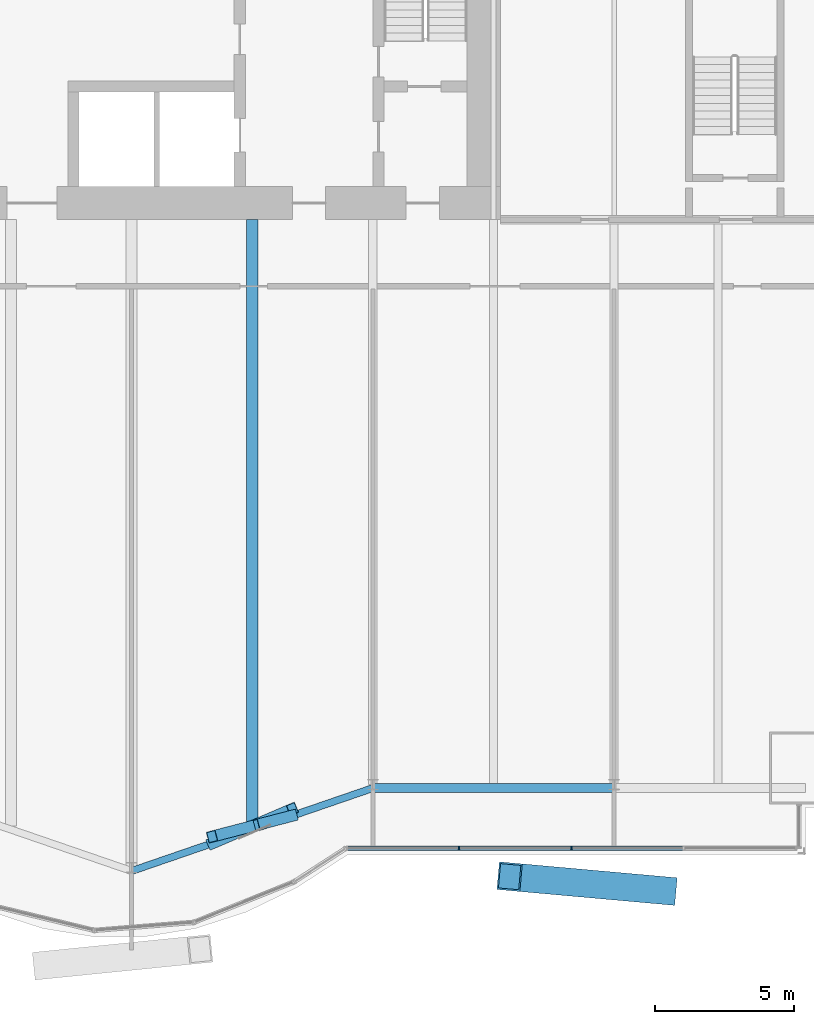
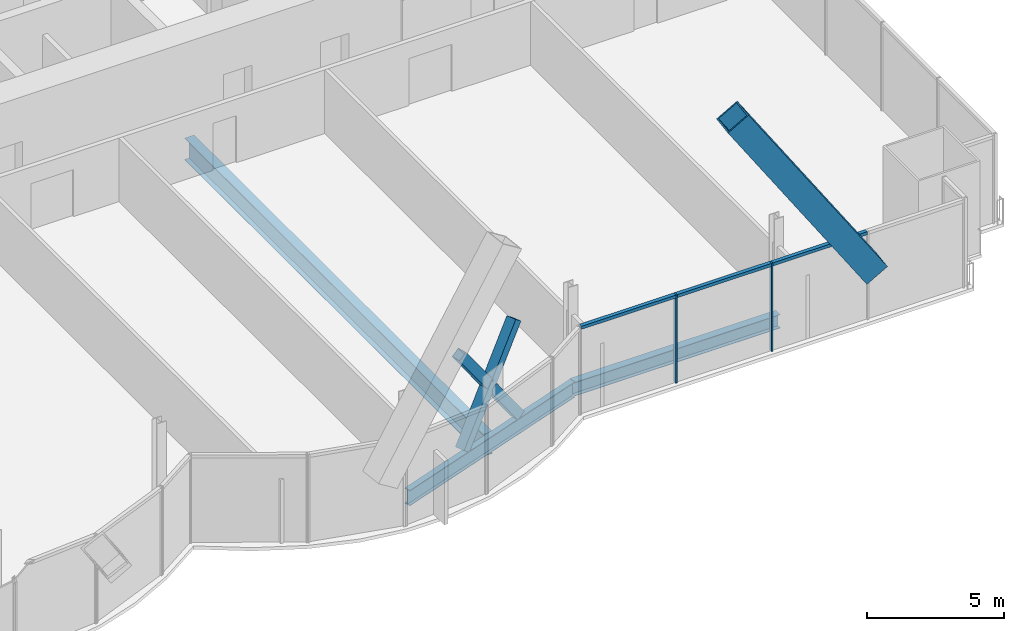
# One storey, part 9 of 22: 9 members, 3 beams, 1 element without a shape of its own.
"""IFC4 building model written with IfcOpenShell, lengths in metres."""

from ifc_helpers import new_model, si_unit, direction, frame, origin, origin_2d, place, context, subcontext, project, spatial, rectangle, hollow_rectangle, i_section, extrude, material, material_profile, profile_set, type_object, element, aggregate, save


model = new_model("IFC4")

# Units and contexts
model_context = context("Model", 3, precision=1e-05, world=origin(), true_north=direction((0.0, 1.0)))
body_context = subcontext(model_context, "Body", "Model", "MODEL_VIEW")
ifc_project = project(units=[si_unit("LENGTHUNIT", "METRE"), si_unit("AREAUNIT", "SQUARE_METRE"), si_unit("VOLUMEUNIT", "CUBIC_METRE"), si_unit("PLANEANGLEUNIT", "RADIAN"), si_unit("MASSUNIT", "GRAM", prefix="KILO")], contexts=[model_context])

# Site, building, storey
site_placement = place(None, origin())
site = spatial("IfcSite", under=ifc_project, at=site_placement, CompositionType="ELEMENT")
building_placement = place(site_placement, origin())
building = spatial("IfcBuilding", under=site, at=building_placement, Name="Bicima Exchange Tower", CompositionType="ELEMENT")
storey_placement = place(building_placement, frame((0.0, 0.0, 144.5)))
storey = spatial("IfcBuildingStorey", under=building, at=storey_placement, Name="L31", CompositionType="ELEMENT", Elevation=144.5)

# Member
ifc_material_1 = material(Name="Steel ASTM A572 Gr 50", Category="steel")
ifc_material_profile_1 = material_profile(ifc_material_1, hollow_rectangle(XDim=1.0, YDim=1.0, WallThickness=0.06005859375, at=origin_2d()))
ifc_profile_set_1 = profile_set([ifc_material_profile_1], Name="Steel ASTM A572 Gr 50")
member_type_1 = type_object("IfcMemberType", Name="Exo mega brace BOX 1000x1000x60", PredefinedType="BRACE", material=ifc_profile_set_1)
member_1_placement = place(storey_placement, frame((27.916748046875, -37.19677734375, 3.416748046875), z_axis=(-0.552134579453, 0.049540015612, 0.832281919199), x_axis=(-0.089365532808, -0.995998896358, 0.0)))
element("IfcMember", 1, at=member_1_placement, inside=storey, type_object=member_type_1, Name="Exo mega brace front", PredefinedType="BRACE", context=body_context, shape_type="SweptSolid", body=[
    extrude(hollow_rectangle(XDim=1.0, YDim=1.0, WallThickness=0.06005859375, at=origin_2d()), origin(), (0.0, 0.0, 1.0), 10.112548828125),
])

# Beams
ifc_material_2 = material(Name="Steel ASTM A992 Gr 50", Category="steel")
ifc_material_profile_2 = material_profile(ifc_material_2, i_section(OverallWidth=0.4013671875, OverallDepth=0.990478515625, WebThickness=0.0166015625, FlangeThickness=0.031005859375, at=origin_2d()))
ifc_profile_set_2 = profile_set([ifc_material_profile_2], Name="Steel ASTM A992 Gr 50")
beam_type_1 = type_object("IfcBeamType", Name="Floor beam W40x215", PredefinedType="JOIST", material=ifc_profile_set_2)
beam_1_placement = place(storey_placement, frame((13.050048828125, -13.0, -0.645263671875), z_axis=(0.0, -1.0, 0.0), x_axis=(1.0, 0.0, 0.0)))
element("IfcBeam", 2, at=beam_1_placement, inside=storey, type_object=beam_type_1, Name="Floor beam", PredefinedType="JOIST", context=body_context, shape_type="SweptSolid", body=[
    extrude(i_section(OverallWidth=0.4013671875, OverallDepth=0.990478515625, WebThickness=0.0166015625, FlangeThickness=0.031005859375, at=origin_2d()), origin(), (0.0, 0.0, 1.0), 21.85986328125),
])
ifc_material_profile_3 = material_profile(ifc_material_2, i_section(OverallWidth=0.3251953125, OverallDepth=0.612060546875, WebThickness=0.0126953125, FlangeThickness=0.01904296875, at=origin_2d()))
ifc_profile_set_3 = profile_set([ifc_material_profile_3], Name="Steel ASTM A992 Gr 50")
beam_type_2 = type_object("IfcBeamType", Name="Front girder W24x104", PredefinedType="BEAM", material=ifc_profile_set_3)
beam_2_placement = place(storey_placement, frame((17.39990234375, -33.5, -0.4560546875), z_axis=(1.0, 0.0, 0.0), x_axis=(0.0, 1.0, 0.0)))
element("IfcBeam", 3, at=beam_2_placement, inside=storey, type_object=beam_type_2, Name="Front girder", PredefinedType="BEAM", context=body_context, shape_type="SweptSolid", body=[
    extrude(i_section(OverallWidth=0.3251953125, OverallDepth=0.612060546875, WebThickness=0.0126953125, FlangeThickness=0.01904296875, at=origin_2d()), origin(), (0.0, 0.0, 1.0), 8.7001953125),
])
ifc_material_profile_4 = material_profile(ifc_material_2, i_section(OverallWidth=0.256591796875, OverallDepth=0.693359375, WebThickness=0.014404296875, FlangeThickness=0.023681640625, at=origin_2d()))
ifc_profile_set_4 = profile_set([ifc_material_profile_4], Name="Steel ASTM A992 Gr 50")
beam_type_3 = type_object("IfcBeamType", Name="Front girder W27x114", PredefinedType="BEAM", material=ifc_profile_set_4)
beam_3_placement = place(storey_placement, frame((8.699951171875, -36.4912109375, -0.49658203125), z_axis=(0.945666456746, 0.325138359143, 0.0), x_axis=(-0.325138359143, 0.945666456746, 0.0)))
element("IfcBeam", 4, at=beam_3_placement, inside=storey, type_object=beam_type_3, Name="Front girder", PredefinedType="BEAM", context=body_context, shape_type="SweptSolid", body=[
    extrude(i_section(OverallWidth=0.256591796875, OverallDepth=0.693359375, WebThickness=0.014404296875, FlangeThickness=0.023681640625, at=origin_2d()), origin(), (0.0, 0.0, 1.0), 9.19970703125),
])

# Curtain wall, members
ifc_material_3 = material(Name="Anodised bronze aluminium", Category="aluminium")
curtain_wall_type = type_object("IfcCurtainWallType", Name="Front glass wall", PredefinedType="NOTDEFINED", material=ifc_material_3)
curtain_wall_placement = place(storey_placement, origin())
curtain_wall = element("IfcCurtainWall", 5, at=curtain_wall_placement, inside=storey, type_object=curtain_wall_type, Name="Front glass wall L31 run 16", PredefinedType="NOTDEFINED")
ifc_material_profile_5 = material_profile(ifc_material_3, rectangle(XDim=0.159912109375, YDim=0.06005859375, at=origin_2d()))
ifc_profile_set_5 = profile_set([ifc_material_profile_5], Name="Anodised bronze aluminium")
member_type_2 = type_object("IfcMemberType", Name="Front glass wall mullion 60 x 160", PredefinedType="MULLION", material=ifc_profile_set_5)
member_2_placement = place(storey_placement, frame((20.51171875, -35.669921875, 0.0), z_axis=(0.0, 0.0, 1.0), x_axis=(0.0, 1.0, 0.0)))
member_2 = element("IfcMember", 6, at=member_2_placement, type_object=member_type_2, Name="Front glass wall mullion 2", PredefinedType="MULLION", context=body_context, shape_type="SweptSolid", body=[
    extrude(rectangle(XDim=0.159912109375, YDim=0.06005859375, at=origin_2d()), origin(), (0.0, 0.0, 1.0), 3.949951171875),
])
member_3_placement = place(storey_placement, frame((24.56103515625, -35.669921875, 0.0), z_axis=(0.0, 0.0, 1.0), x_axis=(0.0, 1.0, 0.0)))
member_3 = element("IfcMember", 7, at=member_3_placement, type_object=member_type_2, Name="Front glass wall mullion 3", PredefinedType="MULLION", context=body_context, shape_type="SweptSolid", body=[
    extrude(rectangle(XDim=0.159912109375, YDim=0.06005859375, at=origin_2d()), origin(), (0.0, 0.0, 1.0), 3.949951171875),
])
ifc_material_profile_6 = material_profile(ifc_material_3, rectangle(XDim=0.159912109375, YDim=0.139892578125, at=origin_2d()))
ifc_profile_set_6 = profile_set([ifc_material_profile_6], Name="Anodised bronze aluminium")
member_type_3 = type_object("IfcMemberType", Name="Front glass wall transom 140 x 160", PredefinedType="USERDEFINED", material=ifc_profile_set_6)
member_4_placement = place(storey_placement, frame((16.4921875, -35.669921875, 3.8798828125), z_axis=(1.0, 0.0, 0.0), x_axis=(0.0, 1.0, 0.0)))
member_4 = element("IfcMember", 8, at=member_4_placement, type_object=member_type_3, Name="Front glass wall transom 1.1", ObjectType="TRANSOM", PredefinedType="USERDEFINED", context=body_context, shape_type="SweptSolid", body=[
    extrude(rectangle(XDim=0.159912109375, YDim=0.139892578125, at=origin_2d()), origin(), (0.0, 0.0, 1.0), 3.989501953125),
])
member_5_placement = place(storey_placement, frame((20.54150390625, -35.669921875, 3.8798828125), z_axis=(1.0, 0.0, 0.0), x_axis=(0.0, 1.0, 0.0)))
member_5 = element("IfcMember", 9, at=member_5_placement, type_object=member_type_3, Name="Front glass wall transom 2.1", ObjectType="TRANSOM", PredefinedType="USERDEFINED", context=body_context, shape_type="SweptSolid", body=[
    extrude(rectangle(XDim=0.159912109375, YDim=0.139892578125, at=origin_2d()), origin(), (0.0, 0.0, 1.0), 3.989501953125),
])
member_6_placement = place(storey_placement, frame((24.591064453125, -35.669921875, 3.8798828125), z_axis=(1.0, 0.0, 0.0), x_axis=(0.0, 1.0, 0.0)))
member_6 = element("IfcMember", 10, at=member_6_placement, type_object=member_type_3, Name="Front glass wall transom 3.1", ObjectType="TRANSOM", PredefinedType="USERDEFINED", context=body_context, shape_type="SweptSolid", body=[
    extrude(rectangle(XDim=0.159912109375, YDim=0.139892578125, at=origin_2d()), origin(), (0.0, 0.0, 1.0), 3.989501953125),
])
aggregate(curtain_wall, [member_2, member_3, member_4, member_5, member_6])

# Members
ifc_material_profile_7 = material_profile(ifc_material_1, hollow_rectangle(XDim=0.406494140625, YDim=0.406494140625, WallThickness=0.017822265625, at=origin_2d()))
ifc_profile_set_7 = profile_set([ifc_material_profile_7], Name="Steel ASTM A572 Gr 50")
member_type_4 = type_object("IfcMemberType", Name="Mega brace HSS16x16x3/4", PredefinedType="BRACE", material=ifc_profile_set_7)
member_7_placement = place(storey_placement, frame((11.60009765625, -35.493896484375, 0.0), z_axis=(0.560581069566, 0.23989169697, 0.79259121757), x_axis=(-0.393424148395, 0.919357079409, 0.0)))
element("IfcMember", 11, at=member_7_placement, inside=storey, type_object=member_type_4, Name="Mega brace front", PredefinedType="BRACE", context=body_context, shape_type="SweptSolid", body=[
    extrude(hollow_rectangle(XDim=0.406494140625, YDim=0.406494140625, WallThickness=0.017822265625, at=origin_2d()), origin(), (0.0, 0.0, 1.0), 5.173095703125),
])
for number, where, z_axis, x_axis, name in (
    (12, (14.5, -34.4970703125, 0.0), (-0.57110722841, -0.148264314279, 0.807374898526), (0.251278927577, -0.967914717605, 0.0), "Mega brace front"),
    (13, (12.971923828125, -34.893798828125, 2.16015625), (-0.570991892865, -0.148260753104, 0.807457124169), (0.251320822742, -0.967903840294, 0.0), "Mega brace front"),
):
    element("IfcMember", number, at=place(storey_placement, frame(where, z_axis=z_axis, x_axis=x_axis)), inside=storey, type_object=member_type_4, Name=name, PredefinedType="BRACE", context=body_context, shape_type="SweptSolid", body=[
        extrude(hollow_rectangle(XDim=0.406494140625, YDim=0.406494140625, WallThickness=0.017822265625, at=origin_2d()), origin(), (0.0, 0.0, 1.0), 2.402587890625),
    ])

save(model, "model.ifc")
